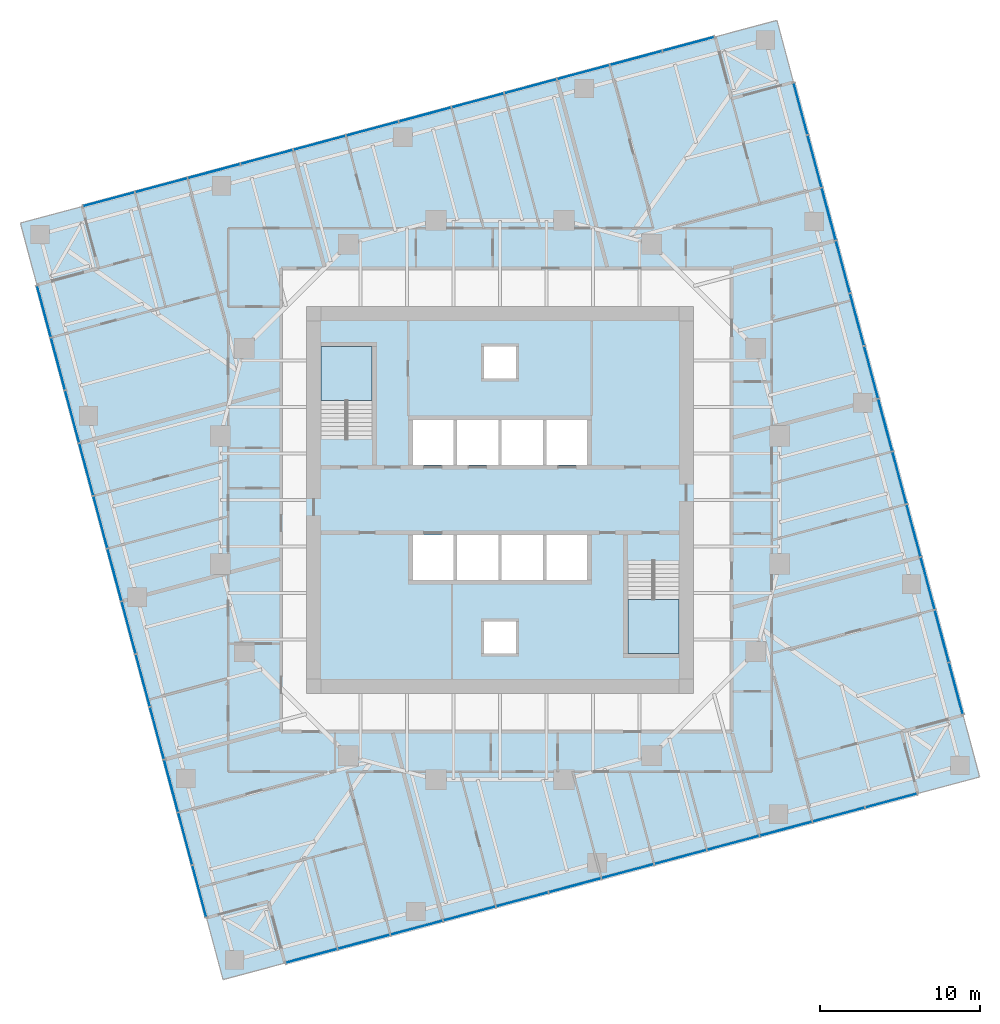
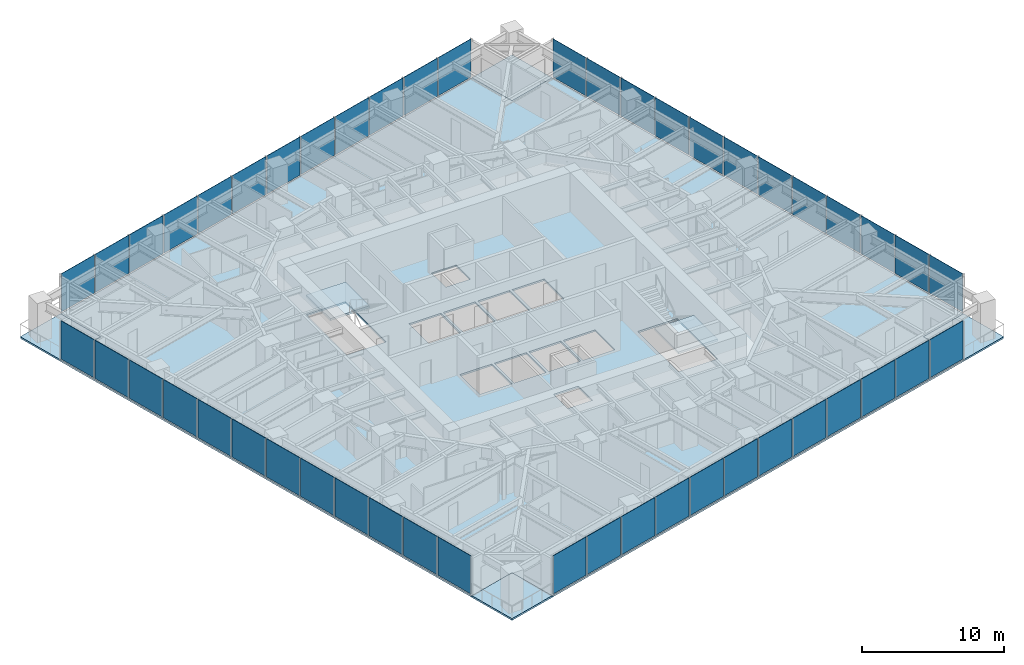
# One storey, part 7 of 13: 48 plates, 7 slabs, 6 elements without a shape of their own.
"""IFC4 building model written with IfcOpenShell, lengths in metres."""

from ifc_helpers import new_model, si_unit, direction, frame, origin, origin_2d, place, context, subcontext, project, spatial, polyline, rectangle, outline, extrude, material, layer, layer_set, type_object, element, aggregate, save


model = new_model("IFC4")

# Units and contexts
model_context = context("Model", 3, precision=1e-05, world=origin(), true_north=direction((0.0, 1.0)))
body_context = subcontext(model_context, "Body", "Model", "MODEL_VIEW")
ifc_project = project(units=[si_unit("LENGTHUNIT", "METRE"), si_unit("AREAUNIT", "SQUARE_METRE"), si_unit("VOLUMEUNIT", "CUBIC_METRE"), si_unit("PLANEANGLEUNIT", "RADIAN"), si_unit("MASSUNIT", "GRAM", prefix="KILO")], contexts=[model_context])

# Site, building, storey
site_placement = place(None, origin())
site = spatial("IfcSite", under=ifc_project, at=site_placement, CompositionType="ELEMENT")
building_placement = place(site_placement, origin())
building = spatial("IfcBuilding", under=site, at=building_placement, Name="Torsade Residences", CompositionType="ELEMENT")
storey_placement = place(building_placement, frame((0.0, 0.0, 118.39990234375)))
storey = spatial("IfcBuildingStorey", under=building, at=storey_placement, Name="L32", CompositionType="ELEMENT", Elevation=118.39990234375)

# Slab
ifc_material_1 = material(Name="Concrete 40 MPa", Category="concrete")
ifc_layer_1 = layer(ifc_material_1, 0.14990234375)
ifc_layer_set_1 = layer_set([ifc_layer_1], Name="Concrete 40 MPa")
slab_type_1 = type_object("IfcSlabType", Name="COMPOSITE FLOOR SLAB 150", PredefinedType="FLOOR", material=ifc_layer_set_1)
slab_1_placement = place(storey_placement, frame((0.0, 0.0, -0.14990234375)))
element("IfcSlab", 1, at=slab_1_placement, inside=storey, type_object=slab_type_1, Name="Floor slab L32", PredefinedType="FLOOR", context=body_context, shape_type="SweptSolid", body=[
    extrude(outline(polyline([(26.53955078125, 1.029052734375), (66.142578125, 11.640625), (65.107177734375, 15.50439453125), (68.970947265625, 16.53955078125), (58.359375, 56.142578125), (54.49560546875, 55.107177734375), (53.46044921875, 58.970947265625), (13.857421875, 48.359375), (14.892822265625, 44.49560546875), (11.029052734375, 43.46044921875), (21.640625, 3.857421875), (25.50439453125, 4.892822265625), (26.53955078125, 1.029052734375)]), holes=[polyline([(51.199951171875, 20.39990234375), (51.199951171875, 26.1201171875), (48.0, 26.1201171875), (48.0, 20.39990234375), (51.199951171875, 20.39990234375)]), polyline([(45.5, 27.800048828125), (42.89990234375, 27.800048828125), (42.89990234375, 25.0), (45.5, 25.0), (45.5, 27.800048828125)]), polyline([(45.5, 32.199951171875), (45.5, 35.0), (42.89990234375, 35.0), (42.89990234375, 32.199951171875), (45.5, 32.199951171875)]), polyline([(42.699951171875, 25.0), (42.699951171875, 27.800048828125), (40.10009765625, 27.800048828125), (40.10009765625, 25.0), (42.699951171875, 25.0)]), polyline([(42.699951171875, 32.199951171875), (42.699951171875, 35.0), (40.10009765625, 35.0), (40.10009765625, 32.199951171875), (42.699951171875, 32.199951171875)]), polyline([(41.0, 22.39990234375), (39.0, 22.39990234375), (39.0, 20.39990234375), (41.0, 20.39990234375), (41.0, 22.39990234375)]), polyline([(41.0, 37.60009765625), (41.0, 39.60009765625), (39.0, 39.60009765625), (39.0, 37.60009765625), (41.0, 37.60009765625)]), polyline([(39.89990234375, 25.0), (39.89990234375, 27.800048828125), (37.300048828125, 27.800048828125), (37.300048828125, 25.0), (39.89990234375, 25.0)]), polyline([(39.89990234375, 35.0), (37.300048828125, 35.0), (37.300048828125, 32.199951171875), (39.89990234375, 32.199951171875), (39.89990234375, 35.0)]), polyline([(37.10009765625, 27.800048828125), (34.5, 27.800048828125), (34.5, 25.0), (37.10009765625, 25.0), (37.10009765625, 27.800048828125)]), polyline([(37.10009765625, 32.199951171875), (37.10009765625, 35.0), (34.5, 35.0), (34.5, 32.199951171875), (37.10009765625, 32.199951171875)]), polyline([(32.0, 33.8798828125), (32.0, 39.60009765625), (28.800048828125, 39.60009765625), (28.800048828125, 33.8798828125), (32.0, 33.8798828125)])]), origin(), (0.0, 0.0, 1.0), 0.14990234375),
])

# Curtain wall, plates
ifc_material_2 = material(Name="Aluminium and glass", Category="aluminium")
curtain_wall_type = type_object("IfcCurtainWallType", Name="FRITTED GLASS CURTAIN WALL MID ZONE", PredefinedType="NOTDEFINED", material=ifc_material_2)
curtain_wall_1_placement = place(storey_placement, origin())
curtain_wall_1 = element("IfcCurtainWall", 2, at=curtain_wall_1_placement, inside=storey, type_object=curtain_wall_type, Name="Curtain wall L32 face 1", PredefinedType="NOTDEFINED")
ifc_material_3 = material(Name="Laminated glass", Category="glass")
ifc_layer_2 = layer(ifc_material_3, 0.031982421875)
ifc_layer_set_2 = layer_set([ifc_layer_2], Name="Laminated glass")
plate_type_1 = type_object("IfcPlateType", Name="FRITTED GLASS PANEL", PredefinedType="CURTAIN_PANEL", material=ifc_layer_set_2)
plate_1_placement = place(storey_placement, frame((28.208984375, 1.476318359375, 0.110107421875), z_axis=(0.0, 0.0, 1.0), x_axis=(0.965925825571, 0.258819047783, 0.0)))
plate_1 = element("IfcPlate", 3, at=plate_1_placement, type_object=plate_type_1, Name="Panel 1", PredefinedType="CURTAIN_PANEL", context=body_context, shape_type="SweptSolid", body=[
    extrude(rectangle(XDim=3.296630859375, YDim=0.031982421875, at=origin_2d()), origin(), (0.0, 0.0, 1.0), 3.2900390625),
])
plate_2_placement = place(storey_placement, frame((34.790283203125, 3.23974609375, 0.110107421875), z_axis=(0.0, 0.0, 1.0), x_axis=(0.965925825571, 0.258819047783, 0.0)))
plate_2 = element("IfcPlate", 4, at=plate_2_placement, type_object=plate_type_1, Name="Panel 3", PredefinedType="CURTAIN_PANEL", context=body_context, shape_type="SweptSolid", body=[
    extrude(rectangle(XDim=3.336669921875, YDim=0.031982421875, at=origin_2d()), origin(), (0.0, 0.0, 1.0), 3.2900390625),
])
plate_3_placement = place(storey_placement, frame((38.09033203125, 4.1240234375, 0.110107421875), z_axis=(0.0, 0.0, 1.0), x_axis=(0.965925825571, 0.258819047783, 0.0)))
plate_3 = element("IfcPlate", 5, at=plate_3_placement, type_object=plate_type_1, Name="Panel 4", PredefinedType="CURTAIN_PANEL", context=body_context, shape_type="SweptSolid", body=[
    extrude(rectangle(XDim=3.336669921875, YDim=0.031982421875, at=origin_2d()), origin(), (0.0, 0.0, 1.0), 3.2900390625),
])
plate_4_placement = place(storey_placement, frame((41.390625, 5.00830078125, 0.110107421875), z_axis=(0.0, 0.0, 1.0), x_axis=(0.965925825571, 0.258819047783, 0.0)))
plate_4 = element("IfcPlate", 6, at=plate_4_placement, type_object=plate_type_1, Name="Panel 5", PredefinedType="CURTAIN_PANEL", context=body_context, shape_type="SweptSolid", body=[
    extrude(rectangle(XDim=3.336669921875, YDim=0.031982421875, at=origin_2d()), origin(), (0.0, 0.0, 1.0), 3.2900390625),
])
plate_5_placement = place(storey_placement, frame((47.9912109375, 6.77685546875, 0.110107421875), z_axis=(0.0, 0.0, 1.0), x_axis=(0.965925825571, 0.258819047783, 0.0)))
plate_5 = element("IfcPlate", 7, at=plate_5_placement, type_object=plate_type_1, Name="Panel 7", PredefinedType="CURTAIN_PANEL", context=body_context, shape_type="SweptSolid", body=[
    extrude(rectangle(XDim=3.336669921875, YDim=0.031982421875, at=origin_2d()), origin(), (0.0, 0.0, 1.0), 3.2900390625),
])
plate_6_placement = place(storey_placement, frame((51.29150390625, 7.661376953125, 0.110107421875), z_axis=(0.0, 0.0, 1.0), x_axis=(0.965925825571, 0.258819047783, 0.0)))
plate_6 = element("IfcPlate", 8, at=plate_6_placement, type_object=plate_type_1, Name="Panel 8", PredefinedType="CURTAIN_PANEL", context=body_context, shape_type="SweptSolid", body=[
    extrude(rectangle(XDim=3.336669921875, YDim=0.031982421875, at=origin_2d()), origin(), (0.0, 0.0, 1.0), 3.2900390625),
])
plate_7_placement = place(storey_placement, frame((54.591796875, 8.545654296875, 0.110107421875), z_axis=(0.0, 0.0, 1.0), x_axis=(0.965925825571, 0.258819047783, 0.0)))
plate_7 = element("IfcPlate", 9, at=plate_7_placement, type_object=plate_type_1, Name="Panel 9", PredefinedType="CURTAIN_PANEL", context=body_context, shape_type="SweptSolid", body=[
    extrude(rectangle(XDim=3.336669921875, YDim=0.031982421875, at=origin_2d()), origin(), (0.0, 0.0, 1.0), 3.2900390625),
])
plate_8_placement = place(storey_placement, frame((61.192138671875, 10.314208984375, 0.110107421875), z_axis=(0.0, 0.0, 1.0), x_axis=(0.965925825571, 0.258819047783, 0.0)))
plate_8 = element("IfcPlate", 10, at=plate_8_placement, type_object=plate_type_1, Name="Panel 11", PredefinedType="CURTAIN_PANEL", context=body_context, shape_type="SweptSolid", body=[
    extrude(rectangle(XDim=3.336669921875, YDim=0.031982421875, at=origin_2d()), origin(), (0.0, 0.0, 1.0), 3.2900390625),
])
plate_9_placement = place(storey_placement, frame((64.47314453125, 11.193359375, 0.110107421875), z_axis=(0.0, 0.0, 1.0), x_axis=(0.965925825571, 0.258819047783, 0.0)))
plate_9 = element("IfcPlate", 11, at=plate_9_placement, type_object=plate_type_1, Name="Panel 12", PredefinedType="CURTAIN_PANEL", context=body_context, shape_type="SweptSolid", body=[
    extrude(rectangle(XDim=3.296630859375, YDim=0.031982421875, at=origin_2d()), origin(), (0.0, 0.0, 1.0), 3.2900390625),
])

curtain_wall_2_placement = place(storey_placement, origin())
curtain_wall_2 = element("IfcCurtainWall", 12, at=curtain_wall_2_placement, inside=storey, type_object=curtain_wall_type, Name="Curtain wall L32 face 4", PredefinedType="NOTDEFINED")
plate_10_placement = place(storey_placement, frame((68.523681640625, 18.208984375, 0.110107421875), z_axis=(0.0, 0.0, 1.0), x_axis=(-0.258819047783, 0.965925825571, 0.0)))
plate_10 = element("IfcPlate", 13, at=plate_10_placement, type_object=plate_type_1, Name="Panel 1", PredefinedType="CURTAIN_PANEL", context=body_context, shape_type="SweptSolid", body=[
    extrude(rectangle(XDim=3.296630859375, YDim=0.031982421875, at=origin_2d()), origin(), (0.0, 0.0, 1.0), 3.2900390625),
])
plate_11_placement = place(storey_placement, frame((66.76025390625, 24.790283203125, 0.110107421875), z_axis=(0.0, 0.0, 1.0), x_axis=(-0.258819047783, 0.965925825571, 0.0)))
plate_11 = element("IfcPlate", 14, at=plate_11_placement, type_object=plate_type_1, Name="Panel 3", PredefinedType="CURTAIN_PANEL", context=body_context, shape_type="SweptSolid", body=[
    extrude(rectangle(XDim=3.336669921875, YDim=0.031982421875, at=origin_2d()), origin(), (0.0, 0.0, 1.0), 3.2900390625),
])
plate_12_placement = place(storey_placement, frame((65.8759765625, 28.09033203125, 0.110107421875), z_axis=(0.0, 0.0, 1.0), x_axis=(-0.258819047783, 0.965925825571, 0.0)))
plate_12 = element("IfcPlate", 15, at=plate_12_placement, type_object=plate_type_1, Name="Panel 4", PredefinedType="CURTAIN_PANEL", context=body_context, shape_type="SweptSolid", body=[
    extrude(rectangle(XDim=3.336669921875, YDim=0.031982421875, at=origin_2d()), origin(), (0.0, 0.0, 1.0), 3.2900390625),
])
plate_13_placement = place(storey_placement, frame((64.99169921875, 31.390625, 0.110107421875), z_axis=(0.0, 0.0, 1.0), x_axis=(-0.258819047783, 0.965925825571, 0.0)))
plate_13 = element("IfcPlate", 16, at=plate_13_placement, type_object=plate_type_1, Name="Panel 5", PredefinedType="CURTAIN_PANEL", context=body_context, shape_type="SweptSolid", body=[
    extrude(rectangle(XDim=3.336669921875, YDim=0.031982421875, at=origin_2d()), origin(), (0.0, 0.0, 1.0), 3.2900390625),
])
plate_14_placement = place(storey_placement, frame((63.22314453125, 37.9912109375, 0.110107421875), z_axis=(0.0, 0.0, 1.0), x_axis=(-0.258819047783, 0.965925825571, 0.0)))
plate_14 = element("IfcPlate", 17, at=plate_14_placement, type_object=plate_type_1, Name="Panel 7", PredefinedType="CURTAIN_PANEL", context=body_context, shape_type="SweptSolid", body=[
    extrude(rectangle(XDim=3.336669921875, YDim=0.031982421875, at=origin_2d()), origin(), (0.0, 0.0, 1.0), 3.2900390625),
])
plate_15_placement = place(storey_placement, frame((62.338623046875, 41.29150390625, 0.110107421875), z_axis=(0.0, 0.0, 1.0), x_axis=(-0.258819047783, 0.965925825571, 0.0)))
plate_15 = element("IfcPlate", 18, at=plate_15_placement, type_object=plate_type_1, Name="Panel 8", PredefinedType="CURTAIN_PANEL", context=body_context, shape_type="SweptSolid", body=[
    extrude(rectangle(XDim=3.336669921875, YDim=0.031982421875, at=origin_2d()), origin(), (0.0, 0.0, 1.0), 3.2900390625),
])
plate_16_placement = place(storey_placement, frame((61.454345703125, 44.591796875, 0.110107421875), z_axis=(0.0, 0.0, 1.0), x_axis=(-0.258819047783, 0.965925825571, 0.0)))
plate_16 = element("IfcPlate", 19, at=plate_16_placement, type_object=plate_type_1, Name="Panel 9", PredefinedType="CURTAIN_PANEL", context=body_context, shape_type="SweptSolid", body=[
    extrude(rectangle(XDim=3.336669921875, YDim=0.031982421875, at=origin_2d()), origin(), (0.0, 0.0, 1.0), 3.2900390625),
])
plate_17_placement = place(storey_placement, frame((59.685791015625, 51.192138671875, 0.110107421875), z_axis=(0.0, 0.0, 1.0), x_axis=(-0.258819047783, 0.965925825571, 0.0)))
plate_17 = element("IfcPlate", 20, at=plate_17_placement, type_object=plate_type_1, Name="Panel 11", PredefinedType="CURTAIN_PANEL", context=body_context, shape_type="SweptSolid", body=[
    extrude(rectangle(XDim=3.336669921875, YDim=0.031982421875, at=origin_2d()), origin(), (0.0, 0.0, 1.0), 3.2900390625),
])
plate_18_placement = place(storey_placement, frame((58.806640625, 54.47314453125, 0.110107421875), z_axis=(0.0, 0.0, 1.0), x_axis=(-0.258819047783, 0.965925825571, 0.0)))
plate_18 = element("IfcPlate", 21, at=plate_18_placement, type_object=plate_type_1, Name="Panel 12", PredefinedType="CURTAIN_PANEL", context=body_context, shape_type="SweptSolid", body=[
    extrude(rectangle(XDim=3.296630859375, YDim=0.031982421875, at=origin_2d()), origin(), (0.0, 0.0, 1.0), 3.2900390625),
])

curtain_wall_3_placement = place(storey_placement, origin())
curtain_wall_3 = element("IfcCurtainWall", 22, at=curtain_wall_3_placement, inside=storey, type_object=curtain_wall_type, Name="Curtain wall L32 face 7", PredefinedType="NOTDEFINED")
plate_19_placement = place(storey_placement, frame((51.791015625, 58.523681640625, 0.110107421875), z_axis=(0.0, 0.0, 1.0), x_axis=(-0.965925825571, -0.258819047783, 0.0)))
plate_19 = element("IfcPlate", 23, at=plate_19_placement, type_object=plate_type_1, Name="Panel 1", PredefinedType="CURTAIN_PANEL", context=body_context, shape_type="SweptSolid", body=[
    extrude(rectangle(XDim=3.296630859375, YDim=0.031982421875, at=origin_2d()), origin(), (0.0, 0.0, 1.0), 3.2900390625),
])
plate_20_placement = place(storey_placement, frame((45.209716796875, 56.76025390625, 0.110107421875), z_axis=(0.0, 0.0, 1.0), x_axis=(-0.965925825571, -0.258819047783, 0.0)))
plate_20 = element("IfcPlate", 24, at=plate_20_placement, type_object=plate_type_1, Name="Panel 3", PredefinedType="CURTAIN_PANEL", context=body_context, shape_type="SweptSolid", body=[
    extrude(rectangle(XDim=3.336669921875, YDim=0.031982421875, at=origin_2d()), origin(), (0.0, 0.0, 1.0), 3.2900390625),
])
plate_21_placement = place(storey_placement, frame((41.90966796875, 55.8759765625, 0.110107421875), z_axis=(0.0, 0.0, 1.0), x_axis=(-0.965925825571, -0.258819047783, 0.0)))
plate_21 = element("IfcPlate", 25, at=plate_21_placement, type_object=plate_type_1, Name="Panel 4", PredefinedType="CURTAIN_PANEL", context=body_context, shape_type="SweptSolid", body=[
    extrude(rectangle(XDim=3.336669921875, YDim=0.031982421875, at=origin_2d()), origin(), (0.0, 0.0, 1.0), 3.2900390625),
])
plate_22_placement = place(storey_placement, frame((38.609375, 54.99169921875, 0.110107421875), z_axis=(0.0, 0.0, 1.0), x_axis=(-0.965925825571, -0.258819047783, 0.0)))
plate_22 = element("IfcPlate", 26, at=plate_22_placement, type_object=plate_type_1, Name="Panel 5", PredefinedType="CURTAIN_PANEL", context=body_context, shape_type="SweptSolid", body=[
    extrude(rectangle(XDim=3.336669921875, YDim=0.031982421875, at=origin_2d()), origin(), (0.0, 0.0, 1.0), 3.2900390625),
])
plate_23_placement = place(storey_placement, frame((32.0087890625, 53.22314453125, 0.110107421875), z_axis=(0.0, 0.0, 1.0), x_axis=(-0.965925825571, -0.258819047783, 0.0)))
plate_23 = element("IfcPlate", 27, at=plate_23_placement, type_object=plate_type_1, Name="Panel 7", PredefinedType="CURTAIN_PANEL", context=body_context, shape_type="SweptSolid", body=[
    extrude(rectangle(XDim=3.336669921875, YDim=0.031982421875, at=origin_2d()), origin(), (0.0, 0.0, 1.0), 3.2900390625),
])
plate_24_placement = place(storey_placement, frame((28.70849609375, 52.338623046875, 0.110107421875), z_axis=(0.0, 0.0, 1.0), x_axis=(-0.965925825571, -0.258819047783, 0.0)))
plate_24 = element("IfcPlate", 28, at=plate_24_placement, type_object=plate_type_1, Name="Panel 8", PredefinedType="CURTAIN_PANEL", context=body_context, shape_type="SweptSolid", body=[
    extrude(rectangle(XDim=3.336669921875, YDim=0.031982421875, at=origin_2d()), origin(), (0.0, 0.0, 1.0), 3.2900390625),
])
plate_25_placement = place(storey_placement, frame((25.408203125, 51.454345703125, 0.110107421875), z_axis=(0.0, 0.0, 1.0), x_axis=(-0.965925825571, -0.258819047783, 0.0)))
plate_25 = element("IfcPlate", 29, at=plate_25_placement, type_object=plate_type_1, Name="Panel 9", PredefinedType="CURTAIN_PANEL", context=body_context, shape_type="SweptSolid", body=[
    extrude(rectangle(XDim=3.336669921875, YDim=0.031982421875, at=origin_2d()), origin(), (0.0, 0.0, 1.0), 3.2900390625),
])
plate_26_placement = place(storey_placement, frame((18.807861328125, 49.685791015625, 0.110107421875), z_axis=(0.0, 0.0, 1.0), x_axis=(-0.965925825571, -0.258819047783, 0.0)))
plate_26 = element("IfcPlate", 30, at=plate_26_placement, type_object=plate_type_1, Name="Panel 11", PredefinedType="CURTAIN_PANEL", context=body_context, shape_type="SweptSolid", body=[
    extrude(rectangle(XDim=3.336669921875, YDim=0.031982421875, at=origin_2d()), origin(), (0.0, 0.0, 1.0), 3.2900390625),
])
plate_27_placement = place(storey_placement, frame((15.52685546875, 48.806640625, 0.110107421875), z_axis=(0.0, 0.0, 1.0), x_axis=(-0.965925825571, -0.258819047783, 0.0)))
plate_27 = element("IfcPlate", 31, at=plate_27_placement, type_object=plate_type_1, Name="Panel 12", PredefinedType="CURTAIN_PANEL", context=body_context, shape_type="SweptSolid", body=[
    extrude(rectangle(XDim=3.296630859375, YDim=0.031982421875, at=origin_2d()), origin(), (0.0, 0.0, 1.0), 3.2900390625),
])

curtain_wall_4_placement = place(storey_placement, origin())
curtain_wall_4 = element("IfcCurtainWall", 32, at=curtain_wall_4_placement, inside=storey, type_object=curtain_wall_type, Name="Curtain wall L32 face 10", PredefinedType="NOTDEFINED")
plate_28_placement = place(storey_placement, frame((11.476318359375, 41.791015625, 0.110107421875), z_axis=(0.0, 0.0, 1.0), x_axis=(0.258819047783, -0.965925825571, 0.0)))
plate_28 = element("IfcPlate", 33, at=plate_28_placement, type_object=plate_type_1, Name="Panel 1", PredefinedType="CURTAIN_PANEL", context=body_context, shape_type="SweptSolid", body=[
    extrude(rectangle(XDim=3.296630859375, YDim=0.031982421875, at=origin_2d()), origin(), (0.0, 0.0, 1.0), 3.2900390625),
])
plate_29_placement = place(storey_placement, frame((13.23974609375, 35.209716796875, 0.110107421875), z_axis=(0.0, 0.0, 1.0), x_axis=(0.258819047783, -0.965925825571, 0.0)))
plate_29 = element("IfcPlate", 34, at=plate_29_placement, type_object=plate_type_1, Name="Panel 3", PredefinedType="CURTAIN_PANEL", context=body_context, shape_type="SweptSolid", body=[
    extrude(rectangle(XDim=3.336669921875, YDim=0.031982421875, at=origin_2d()), origin(), (0.0, 0.0, 1.0), 3.2900390625),
])
plate_30_placement = place(storey_placement, frame((14.1240234375, 31.90966796875, 0.110107421875), z_axis=(0.0, 0.0, 1.0), x_axis=(0.258819047783, -0.965925825571, 0.0)))
plate_30 = element("IfcPlate", 35, at=plate_30_placement, type_object=plate_type_1, Name="Panel 4", PredefinedType="CURTAIN_PANEL", context=body_context, shape_type="SweptSolid", body=[
    extrude(rectangle(XDim=3.336669921875, YDim=0.031982421875, at=origin_2d()), origin(), (0.0, 0.0, 1.0), 3.2900390625),
])
plate_31_placement = place(storey_placement, frame((15.00830078125, 28.609375, 0.110107421875), z_axis=(0.0, 0.0, 1.0), x_axis=(0.258819047783, -0.965925825571, 0.0)))
plate_31 = element("IfcPlate", 36, at=plate_31_placement, type_object=plate_type_1, Name="Panel 5", PredefinedType="CURTAIN_PANEL", context=body_context, shape_type="SweptSolid", body=[
    extrude(rectangle(XDim=3.336669921875, YDim=0.031982421875, at=origin_2d()), origin(), (0.0, 0.0, 1.0), 3.2900390625),
])
plate_32_placement = place(storey_placement, frame((16.77685546875, 22.0087890625, 0.110107421875), z_axis=(0.0, 0.0, 1.0), x_axis=(0.258819047783, -0.965925825571, 0.0)))
plate_32 = element("IfcPlate", 37, at=plate_32_placement, type_object=plate_type_1, Name="Panel 7", PredefinedType="CURTAIN_PANEL", context=body_context, shape_type="SweptSolid", body=[
    extrude(rectangle(XDim=3.336669921875, YDim=0.031982421875, at=origin_2d()), origin(), (0.0, 0.0, 1.0), 3.2900390625),
])
plate_33_placement = place(storey_placement, frame((17.661376953125, 18.70849609375, 0.110107421875), z_axis=(0.0, 0.0, 1.0), x_axis=(0.258819047783, -0.965925825571, 0.0)))
plate_33 = element("IfcPlate", 38, at=plate_33_placement, type_object=plate_type_1, Name="Panel 8", PredefinedType="CURTAIN_PANEL", context=body_context, shape_type="SweptSolid", body=[
    extrude(rectangle(XDim=3.336669921875, YDim=0.031982421875, at=origin_2d()), origin(), (0.0, 0.0, 1.0), 3.2900390625),
])
plate_34_placement = place(storey_placement, frame((18.545654296875, 15.408203125, 0.110107421875), z_axis=(0.0, 0.0, 1.0), x_axis=(0.258819047783, -0.965925825571, 0.0)))
plate_34 = element("IfcPlate", 39, at=plate_34_placement, type_object=plate_type_1, Name="Panel 9", PredefinedType="CURTAIN_PANEL", context=body_context, shape_type="SweptSolid", body=[
    extrude(rectangle(XDim=3.336669921875, YDim=0.031982421875, at=origin_2d()), origin(), (0.0, 0.0, 1.0), 3.2900390625),
])
plate_35_placement = place(storey_placement, frame((20.314208984375, 8.807861328125, 0.110107421875), z_axis=(0.0, 0.0, 1.0), x_axis=(0.258819047783, -0.965925825571, 0.0)))
plate_35 = element("IfcPlate", 40, at=plate_35_placement, type_object=plate_type_1, Name="Panel 11", PredefinedType="CURTAIN_PANEL", context=body_context, shape_type="SweptSolid", body=[
    extrude(rectangle(XDim=3.336669921875, YDim=0.031982421875, at=origin_2d()), origin(), (0.0, 0.0, 1.0), 3.2900390625),
])
plate_36_placement = place(storey_placement, frame((21.193359375, 5.52685546875, 0.110107421875), z_axis=(0.0, 0.0, 1.0), x_axis=(0.258819047783, -0.965925825571, 0.0)))
plate_36 = element("IfcPlate", 41, at=plate_36_placement, type_object=plate_type_1, Name="Panel 12", PredefinedType="CURTAIN_PANEL", context=body_context, shape_type="SweptSolid", body=[
    extrude(rectangle(XDim=3.296630859375, YDim=0.031982421875, at=origin_2d()), origin(), (0.0, 0.0, 1.0), 3.2900390625),
])

# Plate
ifc_material_4 = material(Name="Laminated glass", Category="glass")
ifc_layer_3 = layer(ifc_material_4, 0.0400390625)
ifc_layer_set_3 = layer_set([ifc_layer_3], Name="Laminated glass")
plate_type_2 = type_object("IfcPlateType", Name="OPERABLE VENT PANEL", PredefinedType="CURTAIN_PANEL", material=ifc_layer_set_3)
plate_37_placement = place(storey_placement, frame((31.489990234375, 2.35546875, 0.110107421875), z_axis=(0.0, 0.0, 1.0), x_axis=(0.965925825571, 0.258819047783, 0.0)))
plate_37 = element("IfcPlate", 42, at=plate_37_placement, type_object=plate_type_2, Name="Panel 2", PredefinedType="CURTAIN_PANEL", context=body_context, shape_type="SweptSolid", body=[
    extrude(rectangle(XDim=3.336669921875, YDim=0.0400390625, at=origin_2d()), origin(), (0.0, 0.0, 1.0), 3.2900390625),
])

plate_38_placement = place(storey_placement, frame((44.69091796875, 5.892578125, 0.110107421875), z_axis=(0.0, 0.0, 1.0), x_axis=(0.965925825571, 0.258819047783, 0.0)))
plate_38 = element("IfcPlate", 43, at=plate_38_placement, type_object=plate_type_2, Name="Panel 6", PredefinedType="CURTAIN_PANEL", context=body_context, shape_type="SweptSolid", body=[
    extrude(rectangle(XDim=3.336669921875, YDim=0.0400390625, at=origin_2d()), origin(), (0.0, 0.0, 1.0), 3.2900390625),
])

plate_39_placement = place(storey_placement, frame((57.891845703125, 9.429931640625, 0.110107421875), z_axis=(0.0, 0.0, 1.0), x_axis=(0.965925825571, 0.258819047783, 0.0)))
plate_39 = element("IfcPlate", 44, at=plate_39_placement, type_object=plate_type_2, Name="Panel 10", PredefinedType="CURTAIN_PANEL", context=body_context, shape_type="SweptSolid", body=[
    extrude(rectangle(XDim=3.336669921875, YDim=0.0400390625, at=origin_2d()), origin(), (0.0, 0.0, 1.0), 3.2900390625),
])

aggregate(curtain_wall_1, [plate_1, plate_37, plate_2, plate_3, plate_4, plate_38, plate_5, plate_6, plate_7, plate_39, plate_8, plate_9])

plate_40_placement = place(storey_placement, frame((67.64453125, 21.489990234375, 0.110107421875), z_axis=(0.0, 0.0, 1.0), x_axis=(-0.258819047783, 0.965925825571, 0.0)))
plate_40 = element("IfcPlate", 45, at=plate_40_placement, type_object=plate_type_2, Name="Panel 2", PredefinedType="CURTAIN_PANEL", context=body_context, shape_type="SweptSolid", body=[
    extrude(rectangle(XDim=3.336669921875, YDim=0.0400390625, at=origin_2d()), origin(), (0.0, 0.0, 1.0), 3.2900390625),
])

plate_41_placement = place(storey_placement, frame((64.107421875, 34.69091796875, 0.110107421875), z_axis=(0.0, 0.0, 1.0), x_axis=(-0.258819047783, 0.965925825571, 0.0)))
plate_41 = element("IfcPlate", 46, at=plate_41_placement, type_object=plate_type_2, Name="Panel 6", PredefinedType="CURTAIN_PANEL", context=body_context, shape_type="SweptSolid", body=[
    extrude(rectangle(XDim=3.336669921875, YDim=0.0400390625, at=origin_2d()), origin(), (0.0, 0.0, 1.0), 3.2900390625),
])

plate_42_placement = place(storey_placement, frame((60.570068359375, 47.891845703125, 0.110107421875), z_axis=(0.0, 0.0, 1.0), x_axis=(-0.258819047783, 0.965925825571, 0.0)))
plate_42 = element("IfcPlate", 47, at=plate_42_placement, type_object=plate_type_2, Name="Panel 10", PredefinedType="CURTAIN_PANEL", context=body_context, shape_type="SweptSolid", body=[
    extrude(rectangle(XDim=3.336669921875, YDim=0.0400390625, at=origin_2d()), origin(), (0.0, 0.0, 1.0), 3.2900390625),
])

aggregate(curtain_wall_2, [plate_10, plate_40, plate_11, plate_12, plate_13, plate_41, plate_14, plate_15, plate_16, plate_42, plate_17, plate_18])

plate_43_placement = place(storey_placement, frame((48.510009765625, 57.64453125, 0.110107421875), z_axis=(0.0, 0.0, 1.0), x_axis=(-0.965925825571, -0.258819047783, 0.0)))
plate_43 = element("IfcPlate", 48, at=plate_43_placement, type_object=plate_type_2, Name="Panel 2", PredefinedType="CURTAIN_PANEL", context=body_context, shape_type="SweptSolid", body=[
    extrude(rectangle(XDim=3.336669921875, YDim=0.0400390625, at=origin_2d()), origin(), (0.0, 0.0, 1.0), 3.2900390625),
])

plate_44_placement = place(storey_placement, frame((35.30908203125, 54.107421875, 0.110107421875), z_axis=(0.0, 0.0, 1.0), x_axis=(-0.965925825571, -0.258819047783, 0.0)))
plate_44 = element("IfcPlate", 49, at=plate_44_placement, type_object=plate_type_2, Name="Panel 6", PredefinedType="CURTAIN_PANEL", context=body_context, shape_type="SweptSolid", body=[
    extrude(rectangle(XDim=3.336669921875, YDim=0.0400390625, at=origin_2d()), origin(), (0.0, 0.0, 1.0), 3.2900390625),
])

plate_45_placement = place(storey_placement, frame((22.108154296875, 50.570068359375, 0.110107421875), z_axis=(0.0, 0.0, 1.0), x_axis=(-0.965925825571, -0.258819047783, 0.0)))
plate_45 = element("IfcPlate", 50, at=plate_45_placement, type_object=plate_type_2, Name="Panel 10", PredefinedType="CURTAIN_PANEL", context=body_context, shape_type="SweptSolid", body=[
    extrude(rectangle(XDim=3.336669921875, YDim=0.0400390625, at=origin_2d()), origin(), (0.0, 0.0, 1.0), 3.2900390625),
])

aggregate(curtain_wall_3, [plate_19, plate_43, plate_20, plate_21, plate_22, plate_44, plate_23, plate_24, plate_25, plate_45, plate_26, plate_27])

plate_46_placement = place(storey_placement, frame((12.35546875, 38.510009765625, 0.110107421875), z_axis=(0.0, 0.0, 1.0), x_axis=(0.258819047783, -0.965925825571, 0.0)))
plate_46 = element("IfcPlate", 51, at=plate_46_placement, type_object=plate_type_2, Name="Panel 2", PredefinedType="CURTAIN_PANEL", context=body_context, shape_type="SweptSolid", body=[
    extrude(rectangle(XDim=3.336669921875, YDim=0.0400390625, at=origin_2d()), origin(), (0.0, 0.0, 1.0), 3.2900390625),
])

plate_47_placement = place(storey_placement, frame((15.892578125, 25.30908203125, 0.110107421875), z_axis=(0.0, 0.0, 1.0), x_axis=(0.258819047783, -0.965925825571, 0.0)))
plate_47 = element("IfcPlate", 52, at=plate_47_placement, type_object=plate_type_2, Name="Panel 6", PredefinedType="CURTAIN_PANEL", context=body_context, shape_type="SweptSolid", body=[
    extrude(rectangle(XDim=3.336669921875, YDim=0.0400390625, at=origin_2d()), origin(), (0.0, 0.0, 1.0), 3.2900390625),
])

plate_48_placement = place(storey_placement, frame((19.429931640625, 12.108154296875, 0.110107421875), z_axis=(0.0, 0.0, 1.0), x_axis=(0.258819047783, -0.965925825571, 0.0)))
plate_48 = element("IfcPlate", 53, at=plate_48_placement, type_object=plate_type_2, Name="Panel 10", PredefinedType="CURTAIN_PANEL", context=body_context, shape_type="SweptSolid", body=[
    extrude(rectangle(XDim=3.336669921875, YDim=0.0400390625, at=origin_2d()), origin(), (0.0, 0.0, 1.0), 3.2900390625),
])

aggregate(curtain_wall_4, [plate_28, plate_46, plate_29, plate_30, plate_31, plate_47, plate_32, plate_33, plate_34, plate_48, plate_35, plate_36])

# Stair, slab
ifc_material_5 = material(Name="Precast concrete 40 MPa", Category="concrete")
stair_type = type_object("IfcStairType", Name="HALF-TURN FIRE STAIR 1500x3400", PredefinedType="HALF_TURN_STAIR", material=ifc_material_5)
stair_1_placement = place(storey_placement, origin())
stair_1 = element("IfcStair", 54, at=stair_1_placement, inside=storey, type_object=stair_type, Name="Stair ST1 L32", PredefinedType="HALF_TURN_STAIR")
ifc_material_6 = material(Name="Precast concrete 40 MPa", Category="concrete")
ifc_layer_4 = layer(ifc_material_6, 0.179931640625)
ifc_layer_set_4 = layer_set([ifc_layer_4], Name="Precast concrete 40 MPa")
slab_type_2 = type_object("IfcSlabType", Name="PRECAST STAIR LANDING 180", PredefinedType="LANDING", material=ifc_layer_set_4)
slab_2_placement = place(storey_placement, frame((0.0, 0.0, 1.52001953125)))
slab_2 = element("IfcSlab", 55, at=slab_2_placement, type_object=slab_type_2, Name="ST1 landing 1", PredefinedType="LANDING", context=body_context, shape_type="SweptSolid", body=[
    extrude(outline(polyline([(28.800048828125, 36.2099609375), (32.0, 36.2099609375), (32.0, 39.60009765625), (28.800048828125, 39.60009765625), (28.800048828125, 36.2099609375)])), origin(), (0.0, 0.0, 1.0), 0.18017578125),
])
aggregate(stair_1, [slab_2])

stair_2_placement = place(storey_placement, origin())
stair_2 = element("IfcStair", 56, at=stair_2_placement, inside=storey, type_object=stair_type, Name="Stair ST2 L32", PredefinedType="HALF_TURN_STAIR")
slab_3_placement = place(storey_placement, frame((0.0, 0.0, 1.52001953125)))
slab_3 = element("IfcSlab", 57, at=slab_3_placement, type_object=slab_type_2, Name="ST2 landing 1", PredefinedType="LANDING", context=body_context, shape_type="SweptSolid", body=[
    extrude(outline(polyline([(48.0, 20.39990234375), (51.199951171875, 20.39990234375), (51.199951171875, 23.7900390625), (48.0, 23.7900390625), (48.0, 20.39990234375)])), origin(), (0.0, 0.0, 1.0), 0.18017578125),
])
aggregate(stair_2, [slab_3])

# Slabs
ifc_material_7 = material(Name="Concrete 40 MPa", Category="concrete")
ifc_layer_5 = layer(ifc_material_7, 0.14990234375)
ifc_layer_set_5 = layer_set([ifc_layer_5], Name="Concrete 40 MPa")
slab_type_3 = type_object("IfcSlabType", Name="TERRACE SLAB 150", PredefinedType="FLOOR", material=ifc_layer_set_5)
slab_4_placement = place(storey_placement, frame((0.0, 0.0, -0.14990234375)))
element("IfcSlab", 58, at=slab_4_placement, inside=storey, type_object=slab_type_3, Name="Corner terrace slab SE L32", PredefinedType="FLOOR", context=body_context, shape_type="SweptSolid", body=[
    extrude(outline(polyline([(66.142578125, 11.640625), (70.00634765625, 12.67578125), (68.970947265625, 16.53955078125), (65.107177734375, 15.50439453125), (66.142578125, 11.640625)])), origin(), (0.0, 0.0, 1.0), 0.14990234375),
])
slab_5_placement = place(storey_placement, frame((0.0, 0.0, -0.14990234375)))
element("IfcSlab", 59, at=slab_5_placement, inside=storey, type_object=slab_type_3, Name="Corner terrace slab NE L32", PredefinedType="FLOOR", context=body_context, shape_type="SweptSolid", body=[
    extrude(outline(polyline([(54.49560546875, 55.107177734375), (58.359375, 56.142578125), (57.32421875, 60.00634765625), (53.46044921875, 58.970947265625), (54.49560546875, 55.107177734375)])), origin(), (0.0, 0.0, 1.0), 0.14990234375),
])
slab_6_placement = place(storey_placement, frame((0.0, 0.0, -0.14990234375)))
element("IfcSlab", 60, at=slab_6_placement, inside=storey, type_object=slab_type_3, Name="Corner terrace slab NW L32", PredefinedType="FLOOR", context=body_context, shape_type="SweptSolid", body=[
    extrude(outline(polyline([(11.029052734375, 43.46044921875), (14.892822265625, 44.49560546875), (13.857421875, 48.359375), (9.99365234375, 47.32421875), (11.029052734375, 43.46044921875)])), origin(), (0.0, 0.0, 1.0), 0.14990234375),
])
slab_7_placement = place(storey_placement, frame((0.0, 0.0, -0.14990234375)))
element("IfcSlab", 61, at=slab_7_placement, inside=storey, type_object=slab_type_3, Name="Corner terrace slab SW L32", PredefinedType="FLOOR", context=body_context, shape_type="SweptSolid", body=[
    extrude(outline(polyline([(22.67578125, -0.00634765625), (26.53955078125, 1.029052734375), (25.50439453125, 4.892822265625), (21.640625, 3.857421875), (22.67578125, -0.00634765625)])), origin(), (0.0, 0.0, 1.0), 0.14990234375),
])

save(model, "model.ifc")
